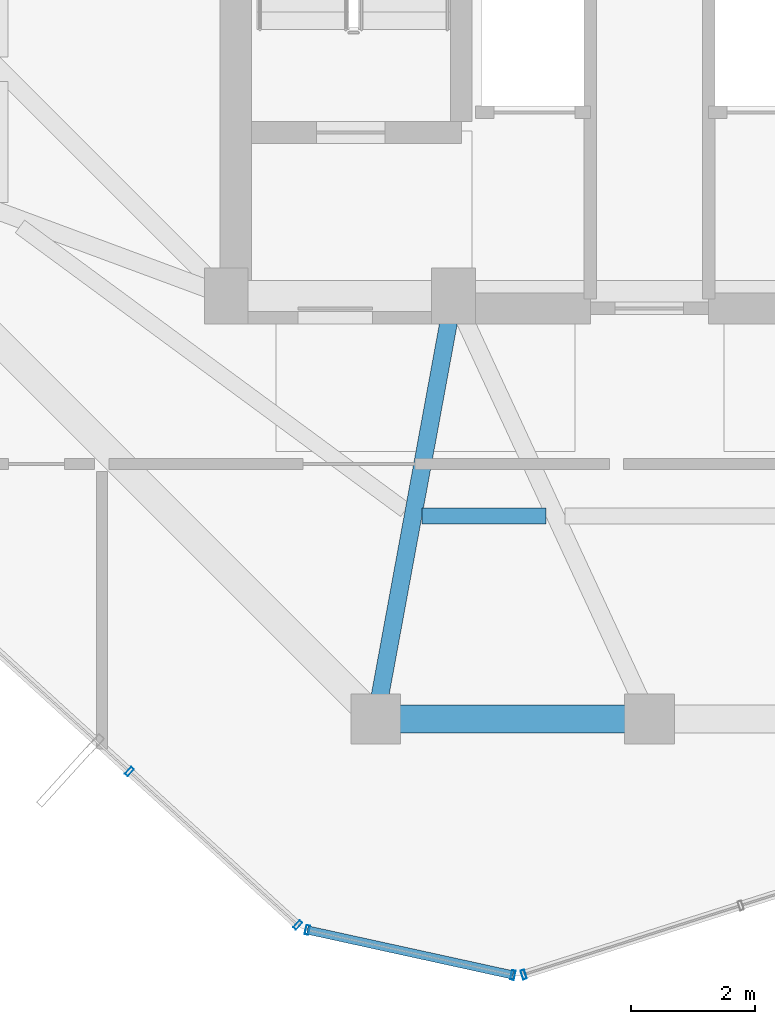
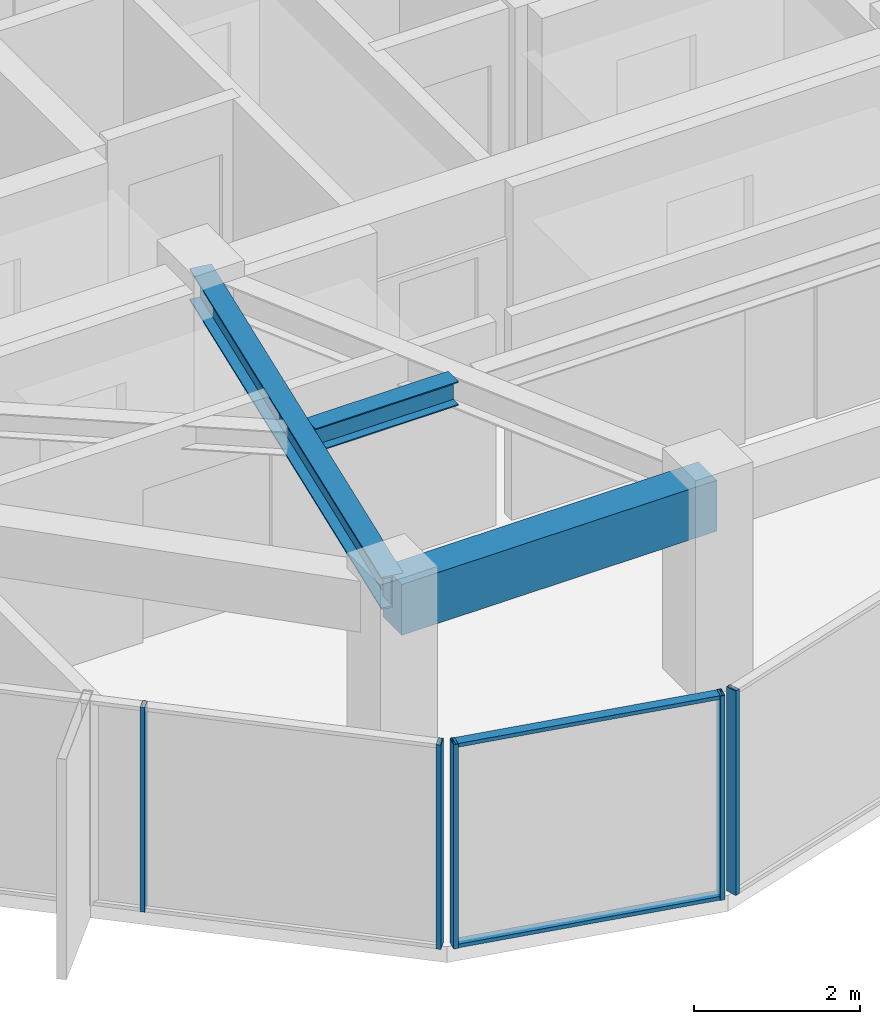
# One storey, part 4 of 28: 7 members, 3 beams, 3 elements without a shape of their own.
"""IFC4 building model written with IfcOpenShell, lengths in metres."""

import ifcopenshell
import ifcopenshell.guid

model = None  # the IFC model being written
_history = None  # IfcOwnerHistory: only IFC2X3 demands one
_inside = {}  # id of a spatial element -> (the spatial element, [elements in it])
_under = {}  # id of a project, library or spatial element -> (it, [spatial elements below it])
_declared = {}  # id of a project -> (the project, [libraries it declares])
_typed = {}  # id of a type object -> (the type object, [elements of that type])
_made_of = {}  # id of a material, layer set ... -> (it, [elements and type objects made of it])


def new_model(schema):
    """Start an empty IFC model of exactly this schema.

    Asked for "IFC4X3", IfcOpenShell would pick the latest addendum, in which some entities
    have other attributes; the version numbers below select the first issue.
    IFC2X3 requires an IfcOwnerHistory on every rooted entity: one is made here for all.
    """
    global model, _history
    if schema == "IFC4X3":
        model = ifcopenshell.file(schema_version=(4, 3, 0, 0))
    else:
        model = ifcopenshell.file(schema=schema)
    _inside.clear()
    _under.clear()
    _declared.clear()
    _typed.clear()
    _made_of.clear()
    _history = None
    if model.schema == "IFC2X3":
        org = make("IfcOrganization", Name="unknown")
        user = make(
            "IfcPersonAndOrganization",
            ThePerson=make("IfcPerson", FamilyName="unknown"),
            TheOrganization=org,
        )
        app = make(
            "IfcApplication",
            ApplicationDeveloper=org,
            Version="unknown",
            ApplicationFullName="unknown",
            ApplicationIdentifier="unknown",
        )
        _history = make(
            "IfcOwnerHistory",
            OwningUser=user,
            OwningApplication=app,
            ChangeAction="ADDED",
            CreationDate=0,
        )
    return model


def make(cls, **values):
    """One entity of the class cls with the attributes given. An attribute that is None is left unset."""
    return model.create_entity(
        cls, **{name: value for name, value in values.items() if value is not None}
    )


def rooted(cls, **values):
    """An entity with a GlobalId (a new one), such as an element, a storey or a relation."""
    return make(cls, GlobalId=ifcopenshell.guid.new(), OwnerHistory=_history, **values)


def si_unit(unit_type, name, prefix=None):
    """IfcSIUnit, for example si_unit("LENGTHUNIT", "METRE", prefix="MILLI")."""
    return make("IfcSIUnit", UnitType=unit_type, Prefix=prefix, Name=name)


def assignment(units):
    """IfcUnitAssignment: the units of a project."""
    return None if units is None else make("IfcUnitAssignment", Units=units)


def point(xyz):
    """IfcCartesianPoint."""
    return None if xyz is None else make("IfcCartesianPoint", Coordinates=xyz)


def direction(xyz):
    """IfcDirection."""
    return None if xyz is None else make("IfcDirection", DirectionRatios=xyz)


def frame(location, z_axis=None, x_axis=None):
    """IfcAxis2Placement3D, a coordinate frame: its origin and axes. An axis left out is left unset."""
    return make(
        "IfcAxis2Placement3D",
        Location=point(location),
        Axis=direction(z_axis),
        RefDirection=direction(x_axis),
    )


def frame_2d(location, x_axis=None):
    """IfcAxis2Placement2D, a coordinate frame in the plane: its origin and x axis."""
    return make(
        "IfcAxis2Placement2D", Location=point(location), RefDirection=direction(x_axis)
    )


def origin():
    """The frame at (0, 0, 0) with its axes left unset."""
    return frame((0.0, 0.0, 0.0))


def origin_2d():
    """The frame at (0, 0) in the plane with its x axis left unset."""
    return frame_2d((0.0, 0.0))


def place(relative_to, where):
    """IfcLocalPlacement: puts the frame where relative to a parent placement (None: the world)."""
    return make(
        "IfcLocalPlacement", PlacementRelTo=relative_to, RelativePlacement=where
    )


def context(
    kind, dimensions, precision=None, world=None, true_north=None, identifier=None
):
    """IfcGeometricRepresentationContext, for example the 3D "Model" context."""
    return make(
        "IfcGeometricRepresentationContext",
        ContextIdentifier=identifier,
        ContextType=kind,
        CoordinateSpaceDimension=dimensions,
        Precision=precision,
        WorldCoordinateSystem=world,
        TrueNorth=true_north,
    )


def subcontext(parent, identifier, kind, view, scale=None):
    """IfcGeometricRepresentationSubContext, for example "Body" below "Model"."""
    return make(
        "IfcGeometricRepresentationSubContext",
        ContextIdentifier=identifier,
        ContextType=kind,
        ParentContext=parent,
        TargetScale=scale,
        TargetView=view,
    )


def project(units=None, contexts=None):
    """IfcProject with its units and contexts."""
    return rooted(
        "IfcProject",
        Name="project",
        RepresentationContexts=contexts,
        UnitsInContext=assignment(units),
    )


def spatial(cls, under=None, at=None, **own):
    """A site, building, storey or space (cls), placed at a placement, below another one or the project."""
    s = rooted(cls, ObjectPlacement=at, **own)
    if under is not None:
        _under.setdefault(under.id(), (under, []))[1].append(s)
    return s


def profile(cls, at=None, kind="AREA", **sizes):
    """A parametric profile (cls). Its sizes go by their IFC names, for example OverallWidth=200.0."""
    return make(cls, ProfileType=kind, Position=at, **sizes)


def rectangle(**sizes):
    """IfcRectangleProfileDef."""
    return profile("IfcRectangleProfileDef", **sizes)


def hollow_rectangle(**sizes):
    """IfcRectangleHollowProfileDef."""
    return profile("IfcRectangleHollowProfileDef", **sizes)


def i_section(**sizes):
    """IfcIShapeProfileDef."""
    return profile("IfcIShapeProfileDef", **sizes)


def extrude(swept, where, along, depth):
    """IfcExtrudedAreaSolid: the profile swept, set in the frame where, extruded along a direction by depth."""
    return make(
        "IfcExtrudedAreaSolid",
        SweptArea=swept,
        Position=where,
        ExtrudedDirection=direction(along),
        Depth=depth,
    )


def shape(context_of_items, identifier, shape_type, items):
    """IfcShapeRepresentation: the items that make up one representation, for example the "Body"."""
    return make(
        "IfcShapeRepresentation",
        ContextOfItems=context_of_items,
        RepresentationIdentifier=identifier,
        RepresentationType=shape_type,
        Items=items,
    )


def source(mapping_origin, context_of_items, identifier, shape_type, items):
    """IfcRepresentationMap: a shape defined once, which mapped items show again and again."""
    return make(
        "IfcRepresentationMap",
        MappingOrigin=mapping_origin,
        MappedRepresentation=shape(context_of_items, identifier, shape_type, items),
    )


def transform(
    local_origin,
    x_axis=None,
    y_axis=None,
    z_axis=None,
    scale=None,
    scale2=None,
    scale3=None,
    uniform=True,
):
    """IfcCartesianTransformationOperator3D, or its non-uniform kind. x_axis, y_axis, z_axis: its Axis1, 2, 3."""
    if uniform:
        return make(
            "IfcCartesianTransformationOperator3D",
            Axis1=direction(x_axis),
            Axis2=direction(y_axis),
            LocalOrigin=point(local_origin),
            Scale=scale,
            Axis3=direction(z_axis),
        )
    return make(
        "IfcCartesianTransformationOperator3DnonUniform",
        Axis1=direction(x_axis),
        Axis2=direction(y_axis),
        LocalOrigin=point(local_origin),
        Scale=scale,
        Axis3=direction(z_axis),
        Scale2=scale2,
        Scale3=scale3,
    )


def mapped(mapping_source, mapping_target):
    """IfcMappedItem: shows the shape of a source again, moved by a transform."""
    return make(
        "IfcMappedItem", MappingSource=mapping_source, MappingTarget=mapping_target
    )


def material(Name=None, Category=None):
    """IfcMaterial."""
    return make("IfcMaterial", Name=Name, Category=Category)


def layer(
    of_material, thickness, ventilated=None, Name=None, Category=None, Priority=None
):
    """IfcMaterialLayer: one layer of a wall or slab, of a material (None: an air gap)."""
    return make(
        "IfcMaterialLayer",
        Material=of_material,
        LayerThickness=thickness,
        IsVentilated=ventilated,
        Name=Name,
        Category=Category,
        Priority=Priority,
    )


def layer_set(layers, Name=None):
    """IfcMaterialLayerSet."""
    return make("IfcMaterialLayerSet", MaterialLayers=layers, LayerSetName=Name)


def material_profile(
    of_material, cross_section, Name=None, Category=None, Priority=None
):
    """IfcMaterialProfile: a cross section and its material."""
    return make(
        "IfcMaterialProfile",
        Name=Name,
        Material=of_material,
        Profile=cross_section,
        Priority=Priority,
        Category=Category,
    )


def profile_set(profiles, Name=None, composite=None):
    """IfcMaterialProfileSet."""
    return make(
        "IfcMaterialProfileSet",
        Name=Name,
        MaterialProfiles=profiles,
        CompositeProfile=composite,
    )


def made_of(thing, what):
    """Note that an element or type object is made of a material, layer set ...; save() writes the relation."""
    if what is not None:
        _made_of.setdefault(what.id(), (what, []))[1].append(thing)
    return thing


def type_object(cls, material=None, **own):
    """A type object (cls), such as IfcWallType, which elements share."""
    return made_of(rooted(cls, **own), material)


def element(
    cls,
    number,
    at=None,
    inside=None,
    cuts=None,
    type_object=None,
    material=None,
    context=None,
    identifier="Body",
    shape_type=None,
    held_by="IfcProductDefinitionShape",
    body=None,
    shapes=None,
    **own,
):
    """One element of the class cls, such as IfcWall. Its Tag is "e" and its number.

    at: its placement. inside: the storey or other place that contains it. cuts: it is an
    opening in that element (IfcRelVoidsElement). A single representation is given by context,
    identifier, shape_type and body (its items); several are given by shapes. held_by: the class
    of the entity that holds the representations. save() writes the other relations.
    """
    e = rooted(cls, Tag="e%d" % number, ObjectPlacement=at, **own)
    if body is not None:
        shapes = [shape(context, identifier, shape_type, body)]
    if shapes is not None:
        e.Representation = make(held_by, Representations=shapes)
    if inside is not None:
        _inside.setdefault(inside.id(), (inside, []))[1].append(e)
    if cuts is not None:
        rooted(
            "IfcRelVoidsElement", RelatingBuildingElement=cuts, RelatedOpeningElement=e
        )
    if type_object is not None:
        _typed.setdefault(type_object.id(), (type_object, []))[1].append(e)
    return made_of(e, material)


def aggregate(whole, parts):
    """IfcRelAggregates: a whole, such as a stair, and the parts it consists of."""
    return rooted("IfcRelAggregates", RelatingObject=whole, RelatedObjects=parts)


def save(model, path):
    """Write the relations noted so far, then the file.

    IfcRelAggregates (storeys below a building ...), IfcRelContainedInSpatialStructure (elements
    in a storey), IfcRelDefinesByType, IfcRelAssociatesMaterial and IfcRelDeclares: one each for
    every whole, place, type object, material and project.
    """
    for whole, parts in _under.values():
        aggregate(whole, parts)
    for where, things in _inside.values():
        rooted(
            "IfcRelContainedInSpatialStructure",
            RelatedElements=things,
            RelatingStructure=where,
        )
    for kind, things in _typed.values():
        rooted("IfcRelDefinesByType", RelatedObjects=things, RelatingType=kind)
    for what, things in _made_of.values():
        rooted("IfcRelAssociatesMaterial", RelatedObjects=things, RelatingMaterial=what)
    for by, libraries in _declared.values():
        rooted("IfcRelDeclares", RelatingContext=by, RelatedDefinitions=libraries)
    model.write(path)


model = new_model("IFC4")

# Units and contexts
model_context = context("Model", 3, precision=1e-05, world=origin(), true_north=direction((0.0, 1.0)))
body_context = subcontext(model_context, "Body", "Model", "MODEL_VIEW")
ifc_project = project(units=[si_unit("LENGTHUNIT", "METRE"), si_unit("AREAUNIT", "SQUARE_METRE"), si_unit("VOLUMEUNIT", "CUBIC_METRE"), si_unit("PLANEANGLEUNIT", "RADIAN"), si_unit("MASSUNIT", "GRAM", prefix="KILO")], contexts=[model_context])

# Site, building, storey
site_placement = place(None, origin())
site = spatial("IfcSite", under=ifc_project, at=site_placement, CompositionType="ELEMENT")
building_placement = place(site_placement, origin())
building = spatial("IfcBuilding", under=site, at=building_placement, Name="Veraguas Prism Commons", CompositionType="ELEMENT")
storey_placement = place(building_placement, frame((0.0, 0.0, 251.25)))
storey = spatial("IfcBuildingStorey", under=building, at=storey_placement, Name="L71", CompositionType="ELEMENT", Elevation=251.25)

# Beams
ifc_material_1 = material(Name="Concrete C50/60", Category="concrete")
ifc_material_profile_1 = material_profile(ifc_material_1, rectangle(XDim=0.449951171875, YDim=0.75, at=origin_2d()), Name="RC450X750")
ifc_profile_set_1 = profile_set([ifc_material_profile_1], Name="Concrete C50/60")
beam_type_1 = type_object("IfcBeamType", Name="Perimeter Spandrel Upper RC 450x750", PredefinedType="SPANDREL", material=ifc_profile_set_1)
beam_1_placement = place(storey_placement, frame((19.60009765625, 10.199951171875, 2.639892578125), z_axis=(1.0, 0.0, 0.0), x_axis=(0.0, 1.0, 0.0)))
element("IfcBeam", 1, at=beam_1_placement, inside=storey, type_object=beam_type_1, Name="Perimeter Spandrel Beam L71-SP10", PredefinedType="SPANDREL", context=body_context, shape_type="SweptSolid", body=[
    extrude(rectangle(XDim=0.449951171875, YDim=0.75, at=origin_2d()), origin(), (0.0, 0.0, 1.0), 4.39990234375),
])
ifc_material_2 = material(Name="Steel ASTM A992 Grade 50", Category="steel")
ifc_material_profile_2 = material_profile(ifc_material_2, i_section(OverallWidth=0.25390625, OverallDepth=0.35302734375, WebThickness=0.009521484375, FlangeThickness=0.016357421875, at=origin_2d()), Name="W360X91")
ifc_profile_set_2 = profile_set([ifc_material_profile_2], Name="Steel ASTM A992 Grade 50")
beam_type_2 = type_object("IfcBeamType", Name="Upper Floor Joist W360x91", PredefinedType="JOIST", material=ifc_profile_set_2)
beam_2_placement = place(storey_placement, frame((20.341796875, 13.464111328125, 2.83837890625), z_axis=(1.0, 0.0, 0.0), x_axis=(0.0, 1.0, 0.0)))
element("IfcBeam", 2, at=beam_2_placement, inside=storey, type_object=beam_type_2, Name="Composite Floor Joist L71-JS10", PredefinedType="JOIST", context=body_context, shape_type="SweptSolid", body=[
    extrude(i_section(OverallWidth=0.25390625, OverallDepth=0.35302734375, WebThickness=0.009521484375, FlangeThickness=0.016357421875, at=origin_2d()), origin(), (0.0, 0.0, 1.0), 1.992431640625),
])
ifc_material_profile_3 = material_profile(ifc_material_2, i_section(OverallWidth=0.282958984375, OverallDepth=0.471923828125, WebThickness=0.013671875, FlangeThickness=0.022216796875, at=origin_2d()), Name="W460X144")
ifc_profile_set_3 = profile_set([ifc_material_profile_3], Name="Steel ASTM A992 Grade 50")
beam_type_3 = type_object("IfcBeamType", Name="Zone 4 Radial Girder W460x144", PredefinedType="BEAM", material=ifc_profile_set_3)
beam_3_placement = place(storey_placement, frame((19.60009765625, 10.199951171875, 2.779052734375), z_axis=(0.180793033327, 0.983521163524, 0.0), x_axis=(-0.983521163524, 0.180793033327, 0.0)))
element("IfcBeam", 3, at=beam_3_placement, inside=storey, type_object=beam_type_3, Name="Radial Floor Girder L71-RD10", PredefinedType="BEAM", context=body_context, shape_type="SweptSolid", body=[
    extrude(i_section(OverallWidth=0.282958984375, OverallDepth=0.471923828125, WebThickness=0.013671875, FlangeThickness=0.022216796875, at=origin_2d()), origin(), (0.0, 0.0, 1.0), 6.9140625),
])

# Curtain wall, members
ifc_material_3 = material(Name="Anodised aluminium EN AW-6063 T6", Category="aluminium")
ifc_layer = layer(ifc_material_3, 0.14990234375, Name="Unitised Flush Curtain Wall Zone 4", Category="aluminium")
ifc_layer_set = layer_set([ifc_layer], Name="Anodised aluminium EN AW-6063 T6")
curtain_wall_type = type_object("IfcCurtainWallType", Name="Unitised Flush Curtain Wall Zone 4", PredefinedType="NOTDEFINED", material=ifc_layer_set)
curtain_wall_1_placement = place(storey_placement, origin())
curtain_wall_1 = element("IfcCurtainWall", 4, at=curtain_wall_1_placement, inside=storey, type_object=curtain_wall_type, Name="Tower Facade Curtain Wall L71-F4", PredefinedType="NOTDEFINED")
ifc_material_profile_4 = material_profile(ifc_material_3, hollow_rectangle(XDim=0.06005859375, YDim=0.14990234375, WallThickness=0.0029296875, at=origin_2d()), Name="AL60X150X3")
ifc_profile_set_4 = profile_set([ifc_material_profile_4], Name="Anodised aluminium EN AW-6063 T6")
member_type_1 = type_object("IfcMemberType", Name="Curtain Wall Mullion Upper AL 60x150x3", PredefinedType="MULLION", material=ifc_profile_set_4)
shared_shape_1 = source(origin(), body_context, "Body", "SweptSolid", [
    extrude(hollow_rectangle(XDim=0.06005859375, YDim=0.14990234375, WallThickness=0.0029296875, at=origin_2d()), origin(), (0.0, 0.0, 1.0), 3.014892578125),
])
member_1_placement = place(storey_placement, frame((15.64111328125, 9.35400390625, 0.0), z_axis=(0.0, 0.0, 1.0), x_axis=(0.738925912503, -0.673786684219, 0.0)))
member_1 = element("IfcMember", 5, at=member_1_placement, type_object=member_type_1, Name="CW-Z4 Mullion 4", PredefinedType="MULLION", context=body_context, shape_type="MappedRepresentation", body=[
    mapped(shared_shape_1, transform((0.0, 0.0, 0.0), scale=1.0)),
])
member_2_placement = place(storey_placement, frame((18.3466796875, 6.88671875, 0.0), z_axis=(0.0, 0.0, 1.0), x_axis=(0.738925912503, -0.673786684219, 0.0)))
member_2 = element("IfcMember", 6, at=member_2_placement, type_object=member_type_1, Name="CW-Z4 Mullion 5", PredefinedType="MULLION", context=body_context, shape_type="MappedRepresentation", body=[
    mapped(shared_shape_1, transform((0.0, 0.0, 0.0), scale=1.0)),
])
aggregate(curtain_wall_1, [member_1, member_2])

# Curtain wall, member
curtain_wall_2_placement = place(storey_placement, origin())
curtain_wall_2 = element("IfcCurtainWall", 7, at=curtain_wall_2_placement, inside=storey, type_object=curtain_wall_type, Name="Tower Facade Curtain Wall L71-F5", PredefinedType="NOTDEFINED")
member_3_placement = place(storey_placement, frame((21.97900390625, 6.091064453125, 0.0), z_axis=(0.0, 0.0, 1.0), x_axis=(0.952979870412, 0.30303360637, 0.0)))
member_3 = element("IfcMember", 8, at=member_3_placement, type_object=member_type_1, Name="CW-Z4 Mullion 1", PredefinedType="MULLION", context=body_context, shape_type="MappedRepresentation", body=[
    mapped(shared_shape_1, transform((0.0, 0.0, 0.0), scale=1.0)),
])
aggregate(curtain_wall_2, [member_3])

# Curtain wall, members
curtain_wall_3_placement = place(storey_placement, origin())
curtain_wall_3 = element("IfcCurtainWall", 9, at=curtain_wall_3_placement, inside=storey, type_object=curtain_wall_type, Name="Chamfer Curtain Wall L71-C5", PredefinedType="NOTDEFINED")
member_4_placement = place(storey_placement, frame((18.501220703125, 6.806884765625, 0.0), z_axis=(0.0, 0.0, 1.0), x_axis=(0.976820459453, -0.214060248512, 0.0)))
member_4 = element("IfcMember", 10, at=member_4_placement, type_object=member_type_1, Name="CW-Z4 Mullion 1", PredefinedType="MULLION", context=body_context, shape_type="MappedRepresentation", body=[
    mapped(shared_shape_1, transform((0.0, 0.0, 0.0), scale=1.0)),
])
member_5_placement = place(storey_placement, frame((21.80517578125, 6.0830078125, 0.0), z_axis=(0.0, 0.0, 1.0), x_axis=(0.976820459453, -0.214060248512, 0.0)))
member_5 = element("IfcMember", 11, at=member_5_placement, type_object=member_type_1, Name="CW-Z4 Mullion 2", PredefinedType="MULLION", context=body_context, shape_type="MappedRepresentation", body=[
    mapped(shared_shape_1, transform((0.0, 0.0, 0.0), scale=1.0)),
])
ifc_material_profile_5 = material_profile(ifc_material_3, hollow_rectangle(XDim=0.054931640625, YDim=0.135009765625, WallThickness=0.0029296875, at=origin_2d()), Name="AL55X135X3")
ifc_profile_set_5 = profile_set([ifc_material_profile_5], Name="Anodised aluminium EN AW-6063 T6")
member_type_2 = type_object("IfcMemberType", Name="Curtain Wall Transom Standard AL 55x135x3", PredefinedType="USERDEFINED", material=ifc_profile_set_5)
shared_shape_2 = source(origin(), body_context, "Body", "SweptSolid", [
    extrude(hollow_rectangle(XDim=0.054931640625, YDim=0.135009765625, WallThickness=0.0029296875, at=origin_2d()), origin(), (0.0, 0.0, 1.0), 3.38232421875),
])
member_6_placement = place(storey_placement, frame((18.501220703125, 6.806884765625, 0.027587890625), z_axis=(0.976829801538, -0.214017613357, 0.0), x_axis=(0.0, 0.0, 1.0)))
member_6 = element("IfcMember", 12, at=member_6_placement, type_object=member_type_2, Name="CW-Z4 Transom 1", ObjectType="TRANSOM", PredefinedType="USERDEFINED", context=body_context, shape_type="MappedRepresentation", body=[
    mapped(shared_shape_2, transform((0.0, 0.0, 0.0), scale=1.0)),
])
member_7_placement = place(storey_placement, frame((18.501220703125, 6.806884765625, 2.987548828125), z_axis=(0.976829801538, -0.214017613357, 0.0), x_axis=(0.0, 0.0, 1.0)))
member_7 = element("IfcMember", 13, at=member_7_placement, type_object=member_type_2, Name="CW-Z4 Transom 2", ObjectType="TRANSOM", PredefinedType="USERDEFINED", context=body_context, shape_type="MappedRepresentation", body=[
    mapped(shared_shape_2, transform((0.0, 0.0, 0.0), scale=1.0)),
])
aggregate(curtain_wall_3, [member_4, member_5, member_6, member_7])

save(model, "model.ifc")
